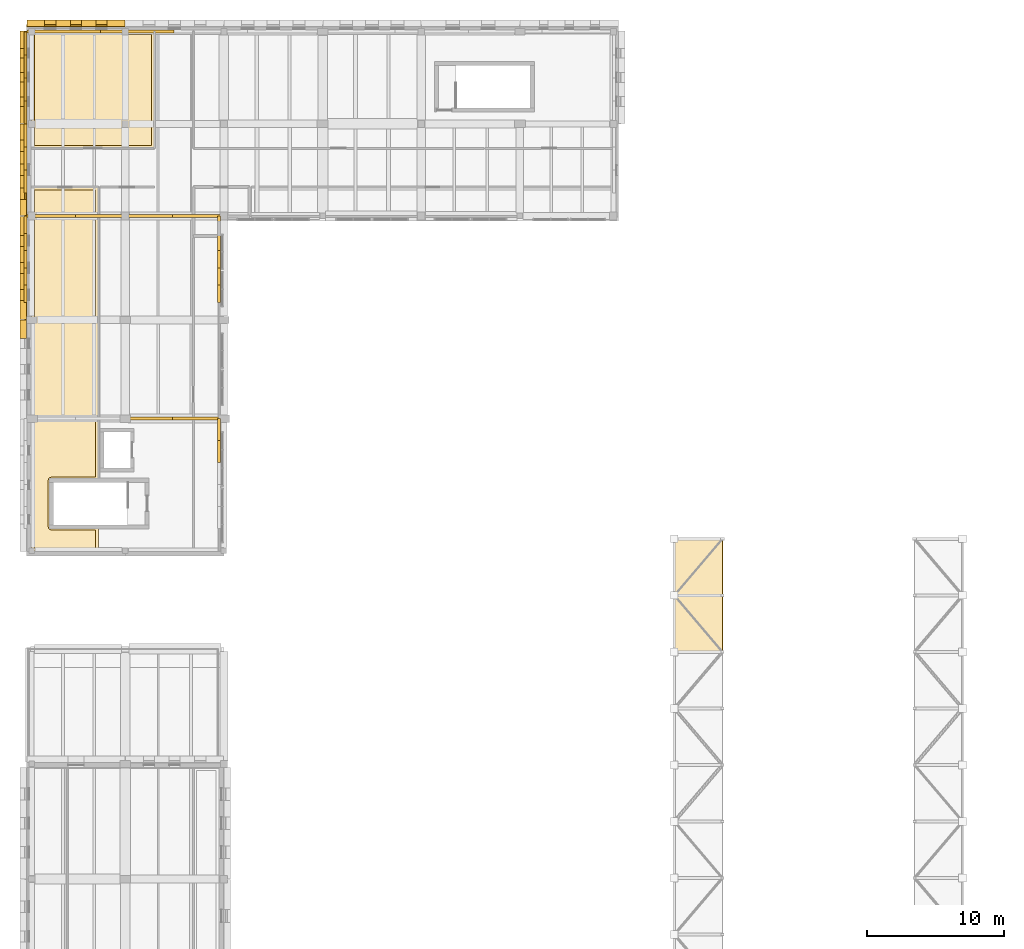
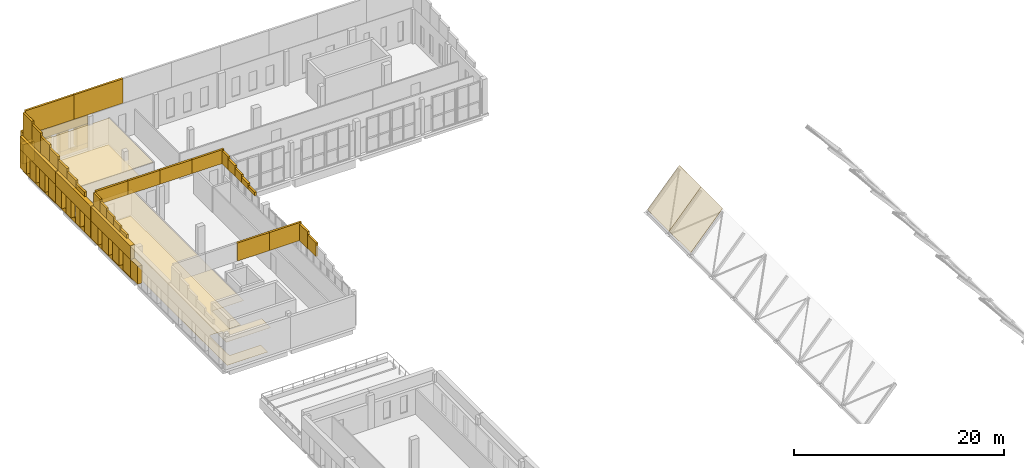
# One storey, part 32 of 34: 58 coverings.
"""IFC4 building model written with IfcOpenShell, lengths in metres."""

from ifc_helpers import new_model, si_unit, direction, frame, origin, place, context, subcontext, project, spatial, polyline, outline, extrude, material, layer, layer_set, type_object, element, save


model = new_model("IFC4")

# Units and contexts
model_context = context("Model", 3, precision=1e-05, world=origin(), true_north=direction((0.0, 1.0)))
body_context = subcontext(model_context, "Body", "Model", "MODEL_VIEW")
ifc_project = project(units=[si_unit("LENGTHUNIT", "METRE"), si_unit("AREAUNIT", "SQUARE_METRE"), si_unit("VOLUMEUNIT", "CUBIC_METRE"), si_unit("PLANEANGLEUNIT", "RADIAN"), si_unit("MASSUNIT", "GRAM", prefix="KILO")], contexts=[model_context])

# Site, building, storey
site_placement = place(None, origin())
site = spatial("IfcSite", under=ifc_project, at=site_placement, CompositionType="ELEMENT")
building_placement = place(site_placement, origin())
building = spatial("IfcBuilding", under=site, at=building_placement, Name="Vardoun Plaza Health Centre", CompositionType="ELEMENT")
storey_placement = place(building_placement, frame((0.0, 0.0, 12.89990234375)))
storey = spatial("IfcBuildingStorey", under=building, at=storey_placement, Name="L03", CompositionType="ELEMENT", Elevation=12.89990234375)

# Coverings
ifc_material_1 = material(Name="Hygienic Acoustic Mineral-Fibre Ceiling", Category="concrete")
ifc_layer_1 = layer(ifc_material_1, 0.02490234375)
ifc_layer_set_1 = layer_set([ifc_layer_1], Name="Hygienic Acoustic Mineral-Fibre Ceiling")
covering_type_1 = type_object("IfcCoveringType", Name="CL-01", PredefinedType="CEILING", material=ifc_layer_set_1)
covering_1_placement = place(storey_placement, frame((0.0, 0.0, 2.89501953125)))
element("IfcCovering", 1, at=covering_1_placement, inside=storey, type_object=covering_type_1, Name="Maternal-Child Consulting Room 32 Acoustic Ceiling", PredefinedType="CEILING", context=body_context, shape_type="SweptSolid", body=[
    extrude(outline(polyline([(4.860107421875, 103.570068359375), (9.75, 103.570068359375), (9.75, 82.2099609375), (6.300048828125, 82.2099609375), (6.299072265625, 82.2099609375), (6.298095703125, 82.209716796875), (6.297119140625, 82.209716796875), (6.296142578125, 82.209228515625), (6.29541015625, 82.208740234375), (6.29443359375, 82.208251953125), (6.293701171875, 82.207763671875), (6.29296875, 82.20703125), (6.292236328125, 82.206298828125), (6.291748046875, 82.20556640625), (6.291259765625, 82.20458984375), (6.290771484375, 82.203857421875), (6.290283203125, 82.202880859375), (6.290283203125, 82.201904296875), (6.2900390625, 82.200927734375), (6.2900390625, 82.199951171875), (6.2900390625, 78.800048828125), (6.2900390625, 78.799072265625), (6.290283203125, 78.798095703125), (6.290283203125, 78.797119140625), (6.290771484375, 78.796142578125), (6.291259765625, 78.79541015625), (6.291748046875, 78.79443359375), (6.292236328125, 78.793701171875), (6.29296875, 78.79296875), (6.293701171875, 78.792236328125), (6.29443359375, 78.791748046875), (6.29541015625, 78.791259765625), (6.296142578125, 78.790771484375), (6.297119140625, 78.790283203125), (6.298095703125, 78.790283203125), (6.299072265625, 78.7900390625), (6.300048828125, 78.7900390625), (9.75, 78.7900390625), (9.75, 77.0400390625), (4.860107421875, 77.0400390625), (4.860107421875, 103.570068359375)])), origin(), (0.0, 0.0, 1.0), 0.025146484375),
])
covering_2_placement = place(storey_placement, frame((0.0, 0.0, 2.89501953125)))
element("IfcCovering", 2, at=covering_2_placement, inside=storey, type_object=covering_type_1, Name="Parent Education Room Acoustic Ceiling", PredefinedType="CEILING", context=body_context, shape_type="SweptSolid", body=[
    extrude(outline(polyline([(13.820068359375, 114.93994140625), (13.820068359375, 106.429931640625), (4.860107421875, 106.429931640625), (4.860107421875, 114.93994140625), (13.820068359375, 114.93994140625)])), origin(), (0.0, 0.0, 1.0), 0.025146484375),
])
ifc_material_2 = material(Name="Pale Limestone Concrete C35/45", Category="masonry")
ifc_layer_2 = layer(ifc_material_2, 0.080078125)
ifc_layer_set_2 = layer_set([ifc_layer_2], Name="Pale Limestone Concrete C35/45")
covering_type_2 = type_object("IfcCoveringType", Name="CL-EXT1", PredefinedType="CLADDING", material=ifc_layer_set_2)
covering_3_placement = place(storey_placement, origin())
element("IfcCovering", 3, at=covering_3_placement, inside=storey, type_object=covering_type_2, Name="V3 L03 Pale Concrete Sill Band 909", PredefinedType="CLADDING", context=body_context, shape_type="SweptSolid", body=[
    extrude(outline(polyline([(4.52001953125, 115.300048828125), (11.679931640625, 115.300048828125), (11.679931640625, 115.43994140625), (4.52001953125, 115.43994140625), (4.52001953125, 115.300048828125)])), origin(), (0.0, 0.0, 1.0), 0.550048828125),
])
covering_4_placement = place(storey_placement, frame((0.0, 0.0, 2.800048828125)))
element("IfcCovering", 4, at=covering_4_placement, inside=storey, type_object=covering_type_2, Name="V3 L03 Sculpted Concrete Eyebrow Hood 910", PredefinedType="CLADDING", context=body_context, shape_type="SweptSolid", body=[
    extrude(outline(polyline([(4.52001953125, 115.300048828125), (11.679931640625, 115.300048828125), (11.679931640625, 115.780029296875), (4.52001953125, 115.780029296875), (4.52001953125, 115.300048828125)])), origin(), (0.0, 0.0, 1.0), 1.400146484375),
])
covering_5_placement = place(storey_placement, frame((0.0, 0.0, 0.550048828125)))
element("IfcCovering", 5, at=covering_5_placement, inside=storey, type_object=covering_type_2, Name="V3 L03 Deep-Punched Slot Concrete Reveal Pier 911", PredefinedType="CLADDING", context=body_context, shape_type="SweptSolid", body=[
    extrude(outline(polyline([(4.52001953125, 115.300048828125), (5.818115234375, 115.300048828125), (5.818115234375, 115.780029296875), (4.52001953125, 115.780029296875), (4.52001953125, 115.300048828125)])), origin(), (0.0, 0.0, 1.0), 2.25),
])
covering_6_placement = place(storey_placement, frame((0.0, 0.0, 0.550048828125)))
element("IfcCovering", 6, at=covering_6_placement, inside=storey, type_object=covering_type_2, Name="V3 L03 Deep-Punched Slot Concrete Reveal Pier 912", PredefinedType="CLADDING", context=body_context, shape_type="SweptSolid", body=[
    extrude(outline(polyline([(6.637939453125, 115.300048828125), (7.68994140625, 115.300048828125), (7.68994140625, 115.780029296875), (6.637939453125, 115.780029296875), (6.637939453125, 115.300048828125)])), origin(), (0.0, 0.0, 1.0), 2.25),
])
covering_7_placement = place(storey_placement, frame((0.0, 0.0, 0.550048828125)))
element("IfcCovering", 7, at=covering_7_placement, inside=storey, type_object=covering_type_2, Name="V3 L03 Deep-Punched Slot Concrete Reveal Pier 913", PredefinedType="CLADDING", context=body_context, shape_type="SweptSolid", body=[
    extrude(outline(polyline([(8.510009765625, 115.300048828125), (9.56201171875, 115.300048828125), (9.56201171875, 115.780029296875), (8.510009765625, 115.780029296875), (8.510009765625, 115.300048828125)])), origin(), (0.0, 0.0, 1.0), 2.25),
])
covering_8_placement = place(storey_placement, frame((0.0, 0.0, 0.550048828125)))
element("IfcCovering", 8, at=covering_8_placement, inside=storey, type_object=covering_type_2, Name="V3 L03 Deep-Punched Slot Concrete Reveal Pier 914", PredefinedType="CLADDING", context=body_context, shape_type="SweptSolid", body=[
    extrude(outline(polyline([(10.382080078125, 115.300048828125), (11.679931640625, 115.300048828125), (11.679931640625, 115.780029296875), (10.382080078125, 115.780029296875), (10.382080078125, 115.300048828125)])), origin(), (0.0, 0.0, 1.0), 2.25),
])
covering_9_placement = place(storey_placement, frame((0.0, 0.0, 0.550048828125)))
element("IfcCovering", 9, at=covering_9_placement, inside=storey, type_object=covering_type_2, Name="V3 L03 Deep-Punched Slot Concrete Reveal Pier 961", PredefinedType="CLADDING", context=body_context, shape_type="SweptSolid", body=[
    extrude(outline(polyline([(4.5, 92.531982421875), (4.5, 93.8798828125), (4.02001953125, 93.8798828125), (4.02001953125, 92.531982421875), (4.5, 92.531982421875)])), origin(), (0.0, 0.0, 1.0), 2.080078125),
])
covering_10_placement = place(storey_placement, origin())
element("IfcCovering", 10, at=covering_10_placement, inside=storey, type_object=covering_type_2, Name="V3 L03 Pale Concrete Sill Band 962", PredefinedType="CLADDING", context=body_context, shape_type="SweptSolid", body=[
    extrude(outline(polyline([(4.5, 93.919921875), (4.5, 101.4599609375), (4.360107421875, 101.4599609375), (4.360107421875, 93.919921875), (4.5, 93.919921875)])), origin(), (0.0, 0.0, 1.0), 0.550048828125),
])
covering_11_placement = place(storey_placement, frame((0.0, 0.0, 2.590087890625)))
element("IfcCovering", 11, at=covering_11_placement, inside=storey, type_object=covering_type_2, Name="V3 L03 Sculpted Concrete Eyebrow Hood 963", PredefinedType="CLADDING", context=body_context, shape_type="SweptSolid", body=[
    extrude(outline(polyline([(4.5, 93.919921875), (4.5, 101.4599609375), (4.02001953125, 101.4599609375), (4.02001953125, 93.919921875), (4.5, 93.919921875)])), origin(), (0.0, 0.0, 1.0), 1.610107421875),
])
covering_12_placement = place(storey_placement, frame((0.0, 0.0, 0.550048828125)))
element("IfcCovering", 12, at=covering_12_placement, inside=storey, type_object=covering_type_2, Name="V3 L03 Deep-Punched Slot Concrete Reveal Pier 964", PredefinedType="CLADDING", context=body_context, shape_type="SweptSolid", body=[
    extrude(outline(polyline([(4.5, 93.919921875), (4.5, 95.3291015625), (4.02001953125, 95.3291015625), (4.02001953125, 93.919921875), (4.5, 93.919921875)])), origin(), (0.0, 0.0, 1.0), 2.0400390625),
])
covering_13_placement = place(storey_placement, frame((0.0, 0.0, 0.550048828125)))
element("IfcCovering", 13, at=covering_13_placement, inside=storey, type_object=covering_type_2, Name="V3 L03 Deep-Punched Slot Concrete Reveal Pier 965", PredefinedType="CLADDING", context=body_context, shape_type="SweptSolid", body=[
    extrude(outline(polyline([(4.5, 96.109130859375), (4.5, 97.300048828125), (4.02001953125, 97.300048828125), (4.02001953125, 96.109130859375), (4.5, 96.109130859375)])), origin(), (0.0, 0.0, 1.0), 2.0400390625),
])
covering_14_placement = place(storey_placement, frame((0.0, 0.0, 0.550048828125)))
element("IfcCovering", 14, at=covering_14_placement, inside=storey, type_object=covering_type_2, Name="V3 L03 Deep-Punched Slot Concrete Reveal Pier 966", PredefinedType="CLADDING", context=body_context, shape_type="SweptSolid", body=[
    extrude(outline(polyline([(4.5, 98.080078125), (4.5, 99.270751953125), (4.02001953125, 99.270751953125), (4.02001953125, 98.080078125), (4.5, 98.080078125)])), origin(), (0.0, 0.0, 1.0), 2.0400390625),
])
covering_15_placement = place(storey_placement, frame((0.0, 0.0, 0.550048828125)))
element("IfcCovering", 15, at=covering_15_placement, inside=storey, type_object=covering_type_2, Name="V3 L03 Deep-Punched Slot Concrete Reveal Pier 967", PredefinedType="CLADDING", context=body_context, shape_type="SweptSolid", body=[
    extrude(outline(polyline([(4.5, 100.05078125), (4.5, 101.4599609375), (4.02001953125, 101.4599609375), (4.02001953125, 100.05078125), (4.5, 100.05078125)])), origin(), (0.0, 0.0, 1.0), 2.0400390625),
])
covering_16_placement = place(storey_placement, origin())
element("IfcCovering", 16, at=covering_16_placement, inside=storey, type_object=covering_type_2, Name="V3 L03 Pale Concrete Sill Band 968", PredefinedType="CLADDING", context=body_context, shape_type="SweptSolid", body=[
    extrude(outline(polyline([(4.5, 101.5), (4.5, 108.179931640625), (4.360107421875, 108.179931640625), (4.360107421875, 101.5), (4.5, 101.5)])), origin(), (0.0, 0.0, 1.0), 0.550048828125),
])
covering_17_placement = place(storey_placement, frame((0.0, 0.0, 2.590087890625)))
element("IfcCovering", 17, at=covering_17_placement, inside=storey, type_object=covering_type_2, Name="V3 L03 Sculpted Concrete Eyebrow Hood 969", PredefinedType="CLADDING", context=body_context, shape_type="SweptSolid", body=[
    extrude(outline(polyline([(4.5, 101.5), (4.5, 108.179931640625), (4.02001953125, 108.179931640625), (4.02001953125, 101.5), (4.5, 101.5)])), origin(), (0.0, 0.0, 1.0), 1.610107421875),
])
covering_18_placement = place(storey_placement, frame((0.0, 0.0, 0.550048828125)))
element("IfcCovering", 18, at=covering_18_placement, inside=storey, type_object=covering_type_2, Name="V3 L03 Deep-Punched Slot Concrete Reveal Pier 970", PredefinedType="CLADDING", context=body_context, shape_type="SweptSolid", body=[
    extrude(outline(polyline([(4.5, 101.5), (4.5, 102.6728515625), (4.02001953125, 102.6728515625), (4.02001953125, 101.5), (4.5, 101.5)])), origin(), (0.0, 0.0, 1.0), 2.0400390625),
])
covering_19_placement = place(storey_placement, frame((0.0, 0.0, 0.550048828125)))
element("IfcCovering", 19, at=covering_19_placement, inside=storey, type_object=covering_type_2, Name="V3 L03 Deep-Punched Slot Concrete Reveal Pier 971", PredefinedType="CLADDING", context=body_context, shape_type="SweptSolid", body=[
    extrude(outline(polyline([(4.5, 103.5126953125), (4.5, 104.419921875), (4.02001953125, 104.419921875), (4.02001953125, 103.5126953125), (4.5, 103.5126953125)])), origin(), (0.0, 0.0, 1.0), 2.0400390625),
])
covering_20_placement = place(storey_placement, frame((0.0, 0.0, 0.550048828125)))
element("IfcCovering", 20, at=covering_20_placement, inside=storey, type_object=covering_type_2, Name="V3 L03 Deep-Punched Slot Concrete Reveal Pier 972", PredefinedType="CLADDING", context=body_context, shape_type="SweptSolid", body=[
    extrude(outline(polyline([(4.5, 105.260009765625), (4.5, 106.167236328125), (4.02001953125, 106.167236328125), (4.02001953125, 105.260009765625), (4.5, 105.260009765625)])), origin(), (0.0, 0.0, 1.0), 2.0400390625),
])
covering_21_placement = place(storey_placement, frame((0.0, 0.0, 0.550048828125)))
element("IfcCovering", 21, at=covering_21_placement, inside=storey, type_object=covering_type_2, Name="V3 L03 Deep-Punched Slot Concrete Reveal Pier 973", PredefinedType="CLADDING", context=body_context, shape_type="SweptSolid", body=[
    extrude(outline(polyline([(4.5, 107.007080078125), (4.5, 108.179931640625), (4.02001953125, 108.179931640625), (4.02001953125, 107.007080078125), (4.5, 107.007080078125)])), origin(), (0.0, 0.0, 1.0), 2.0400390625),
])
covering_22_placement = place(storey_placement, origin())
element("IfcCovering", 22, at=covering_22_placement, inside=storey, type_object=covering_type_2, Name="V3 L03 Pale Concrete Sill Band 974", PredefinedType="CLADDING", context=body_context, shape_type="SweptSolid", body=[
    extrude(outline(polyline([(4.5, 108.219970703125), (4.5, 114.965087890625), (4.360107421875, 114.965087890625), (4.360107421875, 108.219970703125), (4.5, 108.219970703125)])), origin(), (0.0, 0.0, 1.0), 0.550048828125),
])
covering_23_placement = place(storey_placement, frame((0.0, 0.0, 2.690185546875)))
element("IfcCovering", 23, at=covering_23_placement, inside=storey, type_object=covering_type_2, Name="V3 L03 Sculpted Concrete Eyebrow Hood 975", PredefinedType="CLADDING", context=body_context, shape_type="SweptSolid", body=[
    extrude(outline(polyline([(4.5, 108.219970703125), (4.5, 114.965087890625), (4.02001953125, 114.965087890625), (4.02001953125, 108.219970703125), (4.5, 108.219970703125)])), origin(), (0.0, 0.0, 1.0), 1.510009765625),
])
covering_24_placement = place(storey_placement, frame((0.0, 0.0, 0.550048828125)))
element("IfcCovering", 24, at=covering_24_placement, inside=storey, type_object=covering_type_2, Name="V3 L03 Deep-Punched Slot Concrete Reveal Pier 976", PredefinedType="CLADDING", context=body_context, shape_type="SweptSolid", body=[
    extrude(outline(polyline([(4.5, 108.219970703125), (4.5, 109.4833984375), (4.02001953125, 109.4833984375), (4.02001953125, 108.219970703125), (4.5, 108.219970703125)])), origin(), (0.0, 0.0, 1.0), 2.14013671875),
])
covering_25_placement = place(storey_placement, frame((0.0, 0.0, 0.550048828125)))
element("IfcCovering", 25, at=covering_25_placement, inside=storey, type_object=covering_type_2, Name="V3 L03 Deep-Punched Slot Concrete Reveal Pier 977", PredefinedType="CLADDING", context=body_context, shape_type="SweptSolid", body=[
    extrude(outline(polyline([(4.5, 110.17333984375), (4.5, 111.24755859375), (4.02001953125, 111.24755859375), (4.02001953125, 110.17333984375), (4.5, 110.17333984375)])), origin(), (0.0, 0.0, 1.0), 2.14013671875),
])
covering_26_placement = place(storey_placement, frame((0.0, 0.0, 0.550048828125)))
element("IfcCovering", 26, at=covering_26_placement, inside=storey, type_object=covering_type_2, Name="V3 L03 Deep-Punched Slot Concrete Reveal Pier 978", PredefinedType="CLADDING", context=body_context, shape_type="SweptSolid", body=[
    extrude(outline(polyline([(4.5, 111.9375), (4.5, 113.01171875), (4.02001953125, 113.01171875), (4.02001953125, 111.9375), (4.5, 111.9375)])), origin(), (0.0, 0.0, 1.0), 2.14013671875),
])
covering_27_placement = place(storey_placement, frame((0.0, 0.0, 0.550048828125)))
element("IfcCovering", 27, at=covering_27_placement, inside=storey, type_object=covering_type_2, Name="V3 L03 Deep-Punched Slot Concrete Reveal Pier 979", PredefinedType="CLADDING", context=body_context, shape_type="SweptSolid", body=[
    extrude(outline(polyline([(4.5, 113.70166015625), (4.5, 114.965087890625), (4.02001953125, 114.965087890625), (4.02001953125, 113.70166015625), (4.5, 113.70166015625)])), origin(), (0.0, 0.0, 1.0), 2.14013671875),
])
covering_28_placement = place(storey_placement, frame((0.0, 0.0, 4.2001953125)))
element("IfcCovering", 28, at=covering_28_placement, inside=storey, type_object=covering_type_2, Name="Sculpted Concrete Roof Gable Cladding V3-S1-E.5", PredefinedType="CLADDING", context=body_context, shape_type="SweptSolid", body=[
    extrude(outline(polyline([(18.659912109375, 83.48681640625), (18.659912109375, 85.09326171875), (18.43994140625, 85.09326171875), (18.43994140625, 83.48681640625), (18.659912109375, 83.48681640625)])), origin(), (0.0, 0.0, 1.0), 1.574951171875),
])
covering_29_placement = place(storey_placement, frame((0.0, 0.0, 4.2001953125)))
element("IfcCovering", 29, at=covering_29_placement, inside=storey, type_object=covering_type_2, Name="Sculpted Concrete Roof Gable Cladding V3-S1-E.6", PredefinedType="CLADDING", context=body_context, shape_type="SweptSolid", body=[
    extrude(outline(polyline([(18.659912109375, 85.09326171875), (18.659912109375, 86.699951171875), (18.43994140625, 86.699951171875), (18.43994140625, 85.09326171875), (18.659912109375, 85.09326171875)])), origin(), (0.0, 0.0, 1.0), 1.9248046875),
])
covering_30_placement = place(storey_placement, frame((0.0, 0.0, 4.2001953125)))
element("IfcCovering", 30, at=covering_30_placement, inside=storey, type_object=covering_type_2, Name="Sculpted Concrete Roof Gable Cladding V3-S2-W.2", PredefinedType="CLADDING", context=body_context, shape_type="SweptSolid", body=[
    extrude(outline(polyline([(4.5400390625, 95.163330078125), (4.5400390625, 96.4267578125), (4.320068359375, 96.4267578125), (4.320068359375, 95.163330078125), (4.5400390625, 95.163330078125)])), origin(), (0.0, 0.0, 1.0), 0.40478515625),
])
covering_31_placement = place(storey_placement, frame((0.0, 0.0, 4.2001953125)))
element("IfcCovering", 31, at=covering_31_placement, inside=storey, type_object=covering_type_2, Name="Sculpted Concrete Roof Gable Cladding V3-S2-W.3", PredefinedType="CLADDING", context=body_context, shape_type="SweptSolid", body=[
    extrude(outline(polyline([(4.5400390625, 96.4267578125), (4.5400390625, 97.68994140625), (4.320068359375, 97.68994140625), (4.320068359375, 96.4267578125), (4.5400390625, 96.4267578125)])), origin(), (0.0, 0.0, 1.0), 0.6748046875),
])
covering_32_placement = place(storey_placement, frame((0.0, 0.0, 4.2001953125)))
element("IfcCovering", 32, at=covering_32_placement, inside=storey, type_object=covering_type_2, Name="Sculpted Concrete Roof Gable Cladding V3-S2-W.4", PredefinedType="CLADDING", context=body_context, shape_type="SweptSolid", body=[
    extrude(outline(polyline([(4.5400390625, 97.68994140625), (4.5400390625, 98.953369140625), (4.320068359375, 98.953369140625), (4.320068359375, 97.68994140625), (4.5400390625, 97.68994140625)])), origin(), (0.0, 0.0, 1.0), 0.94482421875),
])
covering_33_placement = place(storey_placement, frame((0.0, 0.0, 4.2001953125)))
element("IfcCovering", 33, at=covering_33_placement, inside=storey, type_object=covering_type_2, Name="Sculpted Concrete Roof Gable Cladding V3-S2-W.5", PredefinedType="CLADDING", context=body_context, shape_type="SweptSolid", body=[
    extrude(outline(polyline([(4.5400390625, 98.953369140625), (4.5400390625, 100.216796875), (4.320068359375, 100.216796875), (4.320068359375, 98.953369140625), (4.5400390625, 98.953369140625)])), origin(), (0.0, 0.0, 1.0), 1.21484375),
])
covering_34_placement = place(storey_placement, frame((0.0, 0.0, 4.2001953125)))
element("IfcCovering", 34, at=covering_34_placement, inside=storey, type_object=covering_type_2, Name="Sculpted Concrete Roof Gable Cladding V3-S2-W.6", PredefinedType="CLADDING", context=body_context, shape_type="SweptSolid", body=[
    extrude(outline(polyline([(4.5400390625, 100.216796875), (4.5400390625, 101.47998046875), (4.320068359375, 101.47998046875), (4.320068359375, 100.216796875), (4.5400390625, 100.216796875)])), origin(), (0.0, 0.0, 1.0), 1.48486328125),
])
covering_35_placement = place(storey_placement, frame((0.0, 0.0, 4.2001953125)))
element("IfcCovering", 35, at=covering_35_placement, inside=storey, type_object=covering_type_2, Name="Sculpted Concrete Roof Gable Cladding V3-S2-E.2", PredefinedType="CLADDING", context=body_context, shape_type="SweptSolid", body=[
    extrude(outline(polyline([(18.659912109375, 95.163330078125), (18.659912109375, 96.4267578125), (18.43994140625, 96.4267578125), (18.43994140625, 95.163330078125), (18.659912109375, 95.163330078125)])), origin(), (0.0, 0.0, 1.0), 0.40478515625),
])
covering_36_placement = place(storey_placement, frame((0.0, 0.0, 4.2001953125)))
element("IfcCovering", 36, at=covering_36_placement, inside=storey, type_object=covering_type_2, Name="Sculpted Concrete Roof Gable Cladding V3-S2-E.3", PredefinedType="CLADDING", context=body_context, shape_type="SweptSolid", body=[
    extrude(outline(polyline([(18.659912109375, 96.4267578125), (18.659912109375, 97.68994140625), (18.43994140625, 97.68994140625), (18.43994140625, 96.4267578125), (18.659912109375, 96.4267578125)])), origin(), (0.0, 0.0, 1.0), 0.6748046875),
])
covering_37_placement = place(storey_placement, frame((0.0, 0.0, 4.2001953125)))
element("IfcCovering", 37, at=covering_37_placement, inside=storey, type_object=covering_type_2, Name="Sculpted Concrete Roof Gable Cladding V3-S2-E.4", PredefinedType="CLADDING", context=body_context, shape_type="SweptSolid", body=[
    extrude(outline(polyline([(18.659912109375, 97.68994140625), (18.659912109375, 98.953369140625), (18.43994140625, 98.953369140625), (18.43994140625, 97.68994140625), (18.659912109375, 97.68994140625)])), origin(), (0.0, 0.0, 1.0), 0.94482421875),
])
covering_38_placement = place(storey_placement, frame((0.0, 0.0, 4.2001953125)))
element("IfcCovering", 38, at=covering_38_placement, inside=storey, type_object=covering_type_2, Name="Sculpted Concrete Roof Gable Cladding V3-S2-E.5", PredefinedType="CLADDING", context=body_context, shape_type="SweptSolid", body=[
    extrude(outline(polyline([(18.659912109375, 98.953369140625), (18.659912109375, 100.216796875), (18.43994140625, 100.216796875), (18.43994140625, 98.953369140625), (18.659912109375, 98.953369140625)])), origin(), (0.0, 0.0, 1.0), 1.21484375),
])
covering_39_placement = place(storey_placement, frame((0.0, 0.0, 4.2001953125)))
element("IfcCovering", 39, at=covering_39_placement, inside=storey, type_object=covering_type_2, Name="Sculpted Concrete Roof Gable Cladding V3-S2-E.6", PredefinedType="CLADDING", context=body_context, shape_type="SweptSolid", body=[
    extrude(outline(polyline([(18.659912109375, 100.216796875), (18.659912109375, 101.47998046875), (18.43994140625, 101.47998046875), (18.43994140625, 100.216796875), (18.659912109375, 100.216796875)])), origin(), (0.0, 0.0, 1.0), 1.48486328125),
])
covering_40_placement = place(storey_placement, frame((0.0, 0.0, 4.2001953125)))
element("IfcCovering", 40, at=covering_40_placement, inside=storey, type_object=covering_type_2, Name="Sculpted Concrete Roof Gable Cladding V3-S3-W.2", PredefinedType="CLADDING", context=body_context, shape_type="SweptSolid", body=[
    extrude(outline(polyline([(4.5400390625, 103.159912109375), (4.5400390625, 104.840087890625), (4.320068359375, 104.840087890625), (4.320068359375, 103.159912109375), (4.5400390625, 103.159912109375)])), origin(), (0.0, 0.0, 1.0), 0.534423828125),
])
covering_41_placement = place(storey_placement, frame((0.0, 0.0, 4.2001953125)))
element("IfcCovering", 41, at=covering_41_placement, inside=storey, type_object=covering_type_2, Name="Sculpted Concrete Roof Gable Cladding V3-S3-W.3", PredefinedType="CLADDING", context=body_context, shape_type="SweptSolid", body=[
    extrude(outline(polyline([(4.5400390625, 104.840087890625), (4.5400390625, 106.52001953125), (4.320068359375, 106.52001953125), (4.320068359375, 104.840087890625), (4.5400390625, 104.840087890625)])), origin(), (0.0, 0.0, 1.0), 0.890380859375),
])
covering_42_placement = place(storey_placement, frame((0.0, 0.0, 4.2001953125)))
element("IfcCovering", 42, at=covering_42_placement, inside=storey, type_object=covering_type_2, Name="Sculpted Concrete Roof Gable Cladding V3-S3-W.4", PredefinedType="CLADDING", context=body_context, shape_type="SweptSolid", body=[
    extrude(outline(polyline([(4.5400390625, 106.52001953125), (4.5400390625, 108.199951171875), (4.320068359375, 108.199951171875), (4.320068359375, 106.52001953125), (4.5400390625, 106.52001953125)])), origin(), (0.0, 0.0, 1.0), 1.246826171875),
])
covering_43_placement = place(storey_placement, frame((0.0, 0.0, 4.2001953125)))
element("IfcCovering", 43, at=covering_43_placement, inside=storey, type_object=covering_type_2, Name="Sculpted Concrete Roof Gable Cladding V3-S3-W.5", PredefinedType="CLADDING", context=body_context, shape_type="SweptSolid", body=[
    extrude(outline(polyline([(4.5400390625, 108.199951171875), (4.5400390625, 109.8798828125), (4.320068359375, 109.8798828125), (4.320068359375, 108.199951171875), (4.5400390625, 108.199951171875)])), origin(), (0.0, 0.0, 1.0), 1.60302734375),
])
covering_44_placement = place(storey_placement, frame((0.0, 0.0, 4.2001953125)))
element("IfcCovering", 44, at=covering_44_placement, inside=storey, type_object=covering_type_2, Name="Sculpted Concrete Roof Gable Cladding V3-S3-W.6", PredefinedType="CLADDING", context=body_context, shape_type="SweptSolid", body=[
    extrude(outline(polyline([(4.5400390625, 109.8798828125), (4.5400390625, 111.56005859375), (4.320068359375, 111.56005859375), (4.320068359375, 109.8798828125), (4.5400390625, 109.8798828125)])), origin(), (0.0, 0.0, 1.0), 1.959228515625),
])
covering_45_placement = place(storey_placement, frame((0.0, 0.0, 4.2001953125)))
element("IfcCovering", 45, at=covering_45_placement, inside=storey, type_object=covering_type_2, Name="Sculpted Concrete Roof Gable Cladding V3-S3-W.7", PredefinedType="CLADDING", context=body_context, shape_type="SweptSolid", body=[
    extrude(outline(polyline([(4.5400390625, 111.56005859375), (4.5400390625, 113.239990234375), (4.320068359375, 113.239990234375), (4.320068359375, 111.56005859375), (4.5400390625, 111.56005859375)])), origin(), (0.0, 0.0, 1.0), 2.3154296875),
])
covering_46_placement = place(storey_placement, frame((0.0, 0.0, 4.2001953125)))
element("IfcCovering", 46, at=covering_46_placement, inside=storey, type_object=covering_type_2, Name="Sculpted Concrete Roof Gable Cladding V3-S3-W.8", PredefinedType="CLADDING", context=body_context, shape_type="SweptSolid", body=[
    extrude(outline(polyline([(4.5400390625, 113.239990234375), (4.5400390625, 114.919921875), (4.320068359375, 114.919921875), (4.320068359375, 113.239990234375), (4.5400390625, 113.239990234375)])), origin(), (0.0, 0.0, 1.0), 2.671875),
])
covering_47_placement = place(storey_placement, frame((0.0, 0.0, 4.2001953125)))
element("IfcCovering", 47, at=covering_47_placement, inside=storey, type_object=covering_type_2, Name="Sculpted Concrete Roof Gable Cladding V3-S1-N.3", PredefinedType="CLADDING", context=body_context, shape_type="SweptSolid", body=[
    extrude(outline(polyline([(11.60009765625, 86.60009765625), (15.1298828125, 86.60009765625), (15.1298828125, 86.820068359375), (11.60009765625, 86.820068359375), (11.60009765625, 86.60009765625)])), origin(), (0.0, 0.0, 1.0), 2.099853515625),
])
covering_48_placement = place(storey_placement, frame((0.0, 0.0, 4.2001953125)))
element("IfcCovering", 48, at=covering_48_placement, inside=storey, type_object=covering_type_2, Name="Sculpted Concrete Roof Gable Cladding V3-S1-N.4", PredefinedType="CLADDING", context=body_context, shape_type="SweptSolid", body=[
    extrude(outline(polyline([(15.1298828125, 86.60009765625), (18.659912109375, 86.60009765625), (18.659912109375, 86.820068359375), (15.1298828125, 86.820068359375), (15.1298828125, 86.60009765625)])), origin(), (0.0, 0.0, 1.0), 2.099853515625),
])
covering_49_placement = place(storey_placement, frame((0.0, 0.0, 4.2001953125)))
element("IfcCovering", 49, at=covering_49_placement, inside=storey, type_object=covering_type_2, Name="Sculpted Concrete Roof Gable Cladding V3-S2-N.1", PredefinedType="CLADDING", context=body_context, shape_type="SweptSolid", body=[
    extrude(outline(polyline([(4.5400390625, 101.3798828125), (8.070068359375, 101.3798828125), (8.070068359375, 101.60009765625), (4.5400390625, 101.60009765625), (4.5400390625, 101.3798828125)])), origin(), (0.0, 0.0, 1.0), 1.619873046875),
])
covering_50_placement = place(storey_placement, frame((0.0, 0.0, 4.2001953125)))
element("IfcCovering", 50, at=covering_50_placement, inside=storey, type_object=covering_type_2, Name="Sculpted Concrete Roof Gable Cladding V3-S2-N.2", PredefinedType="CLADDING", context=body_context, shape_type="SweptSolid", body=[
    extrude(outline(polyline([(8.070068359375, 101.3798828125), (11.60009765625, 101.3798828125), (11.60009765625, 101.60009765625), (8.070068359375, 101.60009765625), (8.070068359375, 101.3798828125)])), origin(), (0.0, 0.0, 1.0), 1.619873046875),
])
covering_51_placement = place(storey_placement, frame((0.0, 0.0, 4.2001953125)))
element("IfcCovering", 51, at=covering_51_placement, inside=storey, type_object=covering_type_2, Name="Sculpted Concrete Roof Gable Cladding V3-S2-N.3", PredefinedType="CLADDING", context=body_context, shape_type="SweptSolid", body=[
    extrude(outline(polyline([(11.60009765625, 101.3798828125), (15.1298828125, 101.3798828125), (15.1298828125, 101.60009765625), (11.60009765625, 101.60009765625), (11.60009765625, 101.3798828125)])), origin(), (0.0, 0.0, 1.0), 1.619873046875),
])
covering_52_placement = place(storey_placement, frame((0.0, 0.0, 4.2001953125)))
element("IfcCovering", 52, at=covering_52_placement, inside=storey, type_object=covering_type_2, Name="Sculpted Concrete Roof Gable Cladding V3-S2-N.4", PredefinedType="CLADDING", context=body_context, shape_type="SweptSolid", body=[
    extrude(outline(polyline([(15.1298828125, 101.3798828125), (18.659912109375, 101.3798828125), (18.659912109375, 101.60009765625), (15.1298828125, 101.60009765625), (15.1298828125, 101.3798828125)])), origin(), (0.0, 0.0, 1.0), 1.619873046875),
])
covering_53_placement = place(storey_placement, frame((0.0, 0.0, 4.2001953125)))
element("IfcCovering", 53, at=covering_53_placement, inside=storey, type_object=covering_type_2, Name="Sculpted Concrete Roof Gable Cladding V3-S3-N.1", PredefinedType="CLADDING", context=body_context, shape_type="SweptSolid", body=[
    extrude(outline(polyline([(4.5400390625, 114.820068359375), (9.905029296875, 114.820068359375), (9.905029296875, 115.0400390625), (4.5400390625, 115.0400390625), (4.5400390625, 114.820068359375)])), origin(), (0.0, 0.0, 1.0), 2.849853515625),
])
covering_54_placement = place(storey_placement, frame((0.0, 0.0, 4.2001953125)))
element("IfcCovering", 54, at=covering_54_placement, inside=storey, type_object=covering_type_2, Name="Sculpted Concrete Roof Gable Cladding V3-S3-N.2", PredefinedType="CLADDING", context=body_context, shape_type="SweptSolid", body=[
    extrude(outline(polyline([(9.905029296875, 114.820068359375), (15.27001953125, 114.820068359375), (15.27001953125, 115.0400390625), (9.905029296875, 115.0400390625), (9.905029296875, 114.820068359375)])), origin(), (0.0, 0.0, 1.0), 2.849853515625),
])
ifc_material_3 = material(Name="Seamless Conductive Clinical Vinyl Flooring", Category="concrete")
ifc_layer_3 = layer(ifc_material_3, 0.014892578125)
ifc_layer_set_3 = layer_set([ifc_layer_3], Name="Seamless Conductive Clinical Vinyl Flooring")
covering_type_3 = type_object("IfcCoveringType", Name="FL-01", PredefinedType="FLOORING", material=ifc_layer_set_3)
covering_55_placement = place(storey_placement, origin())
element("IfcCovering", 55, at=covering_55_placement, inside=storey, type_object=covering_type_3, Name="Maternal-Child Consulting Room 32 Floor Finish", PredefinedType="FLOORING", context=body_context, shape_type="SweptSolid", body=[
    extrude(outline(polyline([(5.070068359375, 103.360107421875), (9.5400390625, 103.360107421875), (9.5400390625, 82.419921875), (6.300048828125, 82.419921875), (6.2783203125, 82.4189453125), (6.257080078125, 82.415771484375), (6.236083984375, 82.410400390625), (6.2158203125, 82.4033203125), (6.1962890625, 82.39404296875), (6.177734375, 82.3828125), (6.160400390625, 82.3701171875), (6.144287109375, 82.355712890625), (6.1298828125, 82.339599609375), (6.1171875, 82.322265625), (6.10595703125, 82.3037109375), (6.0966796875, 82.2841796875), (6.089599609375, 82.263916015625), (6.084228515625, 82.242919921875), (6.0810546875, 82.2216796875), (6.080078125, 82.199951171875), (6.080078125, 78.800048828125), (6.0810546875, 78.7783203125), (6.084228515625, 78.757080078125), (6.089599609375, 78.736083984375), (6.0966796875, 78.7158203125), (6.10595703125, 78.6962890625), (6.1171875, 78.677734375), (6.1298828125, 78.660400390625), (6.144287109375, 78.644287109375), (6.160400390625, 78.6298828125), (6.177734375, 78.6171875), (6.1962890625, 78.60595703125), (6.2158203125, 78.5966796875), (6.236083984375, 78.589599609375), (6.257080078125, 78.584228515625), (6.2783203125, 78.5810546875), (6.300048828125, 78.580078125), (9.5400390625, 78.580078125), (9.5400390625, 77.25), (5.070068359375, 77.25), (5.070068359375, 103.360107421875)])), origin(), (0.0, 0.0, 1.0), 0.01513671875),
])
covering_56_placement = place(storey_placement, origin())
element("IfcCovering", 56, at=covering_56_placement, inside=storey, type_object=covering_type_3, Name="Parent Education Room Floor Finish", PredefinedType="FLOORING", context=body_context, shape_type="SweptSolid", body=[
    extrude(outline(polyline([(13.610107421875, 114.72998046875), (13.610107421875, 106.639892578125), (5.070068359375, 106.639892578125), (5.070068359375, 114.72998046875), (13.610107421875, 114.72998046875)])), origin(), (0.0, 0.0, 1.0), 0.01513671875),
])
ifc_material_4 = material(Name="EPDM Insulated Roof Membrane", Category="concrete")
ifc_layer_4 = layer(ifc_material_4, 0.044921875)
ifc_layer_set_4 = layer_set([ifc_layer_4], Name="EPDM Insulated Roof Membrane")
covering_type_4 = type_object("IfcCoveringType", Name="CV-M1", PredefinedType="ROOFING", material=ifc_layer_set_4)
covering_57_placement = place(storey_placement, frame((51.764892578125, 69.672119140625, 1.392578125), z_axis=(-0.746926194805, 0.0, 0.664906955532), x_axis=(0.664906955532, 0.0, 0.746926194805)))
element("IfcCovering", 57, at=covering_57_placement, inside=storey, type_object=covering_type_4, Name="Gridshell Vault Cladding 9.2", PredefinedType="ROOFING", context=body_context, shape_type="SweptSolid", body=[
    extrude(outline(polyline([(0.0, 0.0), (5.271605183198316, 0.0), (5.271605183198316, 4.123779296875), (0.0, 4.123779296875), (0.0, 0.0)])), origin(), (0.0, 0.0, -1.0), 0.044921875),
])
covering_58_placement = place(storey_placement, frame((51.764892578125, 73.7958984375, 1.392578125), z_axis=(-0.746926194805, 0.0, 0.664906955532), x_axis=(0.664906955532, 0.0, 0.746926194805)))
element("IfcCovering", 58, at=covering_58_placement, inside=storey, type_object=covering_type_4, Name="Gridshell Vault Cladding 10.2", PredefinedType="ROOFING", context=body_context, shape_type="SweptSolid", body=[
    extrude(outline(polyline([(0.0, 0.0), (5.271605183198316, 0.0), (5.271605183198316, 4.124023437499999), (0.0, 4.124023437499999), (0.0, 0.0)])), origin(), (0.0, 0.0, -1.0), 0.044921875),
])

save(model, "model.ifc")
